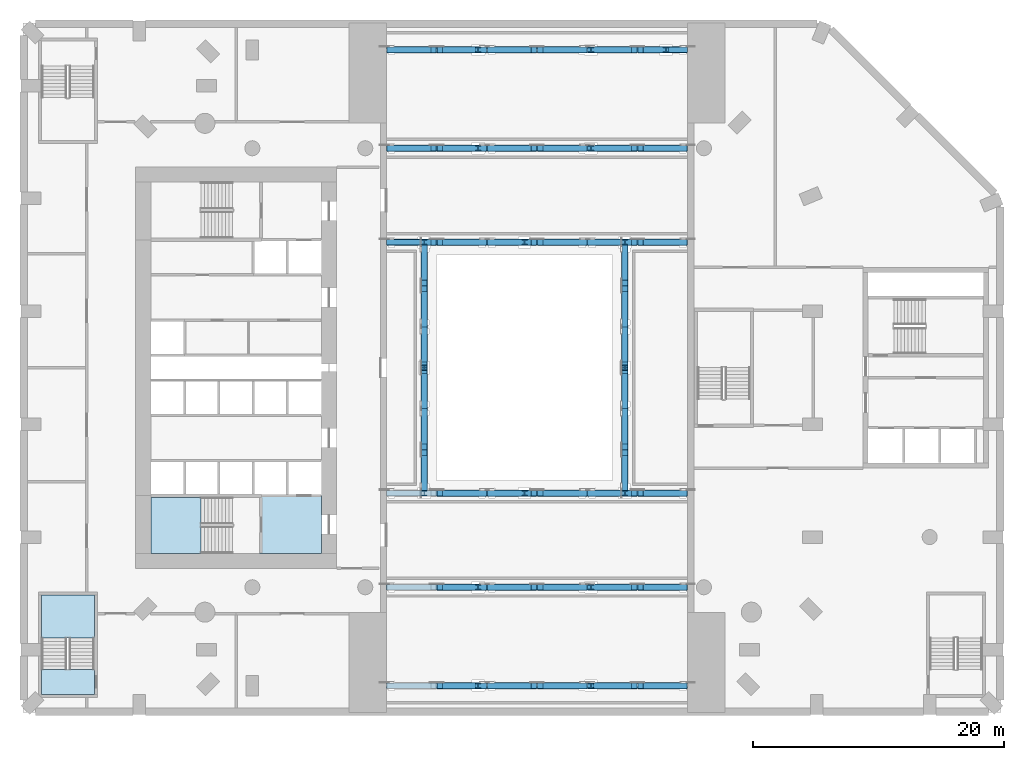
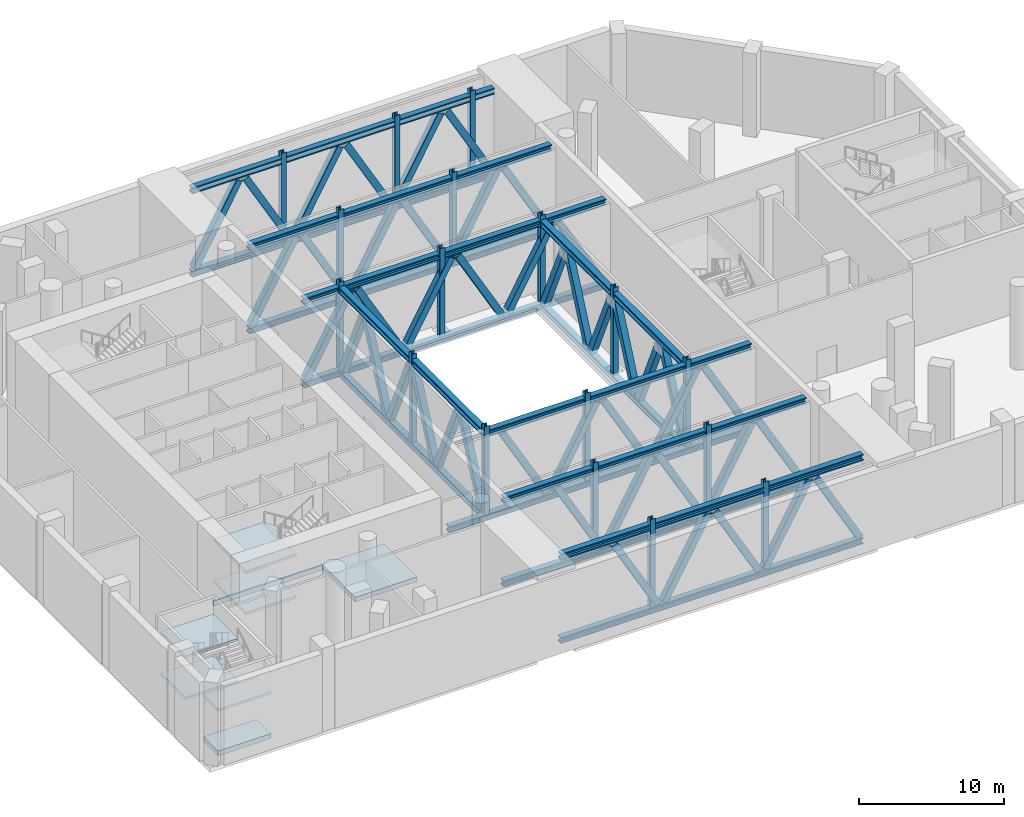
# One storey, part 2 of 21: 94 members, 7 slabs, 2 elements without a shape of their own.
"""IFC4 building model written with IfcOpenShell, lengths in metres."""

from ifc_helpers import new_model, si_unit, direction, frame, origin, origin_2d, place, context, subcontext, project, spatial, polyline, hollow_rectangle, i_section, outline, extrude, material, layer, layer_set, material_profile, profile_set, type_object, element, aggregate, save


model = new_model("IFC4")

# Units and contexts
model_context = context("Model", 3, precision=1e-05, world=origin(), true_north=direction((0.0, 1.0)))
body_context = subcontext(model_context, "Body", "Model", "MODEL_VIEW")
ifc_project = project(units=[si_unit("LENGTHUNIT", "METRE"), si_unit("AREAUNIT", "SQUARE_METRE"), si_unit("VOLUMEUNIT", "CUBIC_METRE"), si_unit("PLANEANGLEUNIT", "RADIAN"), si_unit("MASSUNIT", "GRAM", prefix="KILO")], contexts=[model_context])

# Site, building, storey
site_placement = place(None, origin())
site = spatial("IfcSite", under=ifc_project, at=site_placement, CompositionType="ELEMENT")
building_placement = place(site_placement, origin())
building = spatial("IfcBuilding", under=site, at=building_placement, Name="Cypress Arch Tower", CompositionType="ELEMENT")
storey_placement = place(building_placement, frame((0.0, 0.0, 29.0)))
storey = spatial("IfcBuildingStorey", under=building, at=storey_placement, Name="L03", CompositionType="ELEMENT", Elevation=29.0)

# Members
ifc_material_1 = material(Name="Steel ASTM A992", Category="steel")
ifc_material_profile_1 = material_profile(ifc_material_1, i_section(OverallWidth=0.45458984375, OverallDepth=0.51318359375, WebThickness=0.060546875, FlangeThickness=0.096923828125, at=origin_2d()), Name="W14x550")
ifc_profile_set_1 = profile_set([ifc_material_profile_1], Name="Steel ASTM A992")
member_type_1 = type_object("IfcMemberType", Name="Transfer truss chord W14x550 Steel ASTM A992", PredefinedType="CHORD", material=ifc_profile_set_1)
member_1_placement = place(storey_placement, frame((-10.0, -25.35009765625, -0.656494140625), z_axis=(1.0, 0.0, 0.0), x_axis=(0.0, 1.0, 0.0)))
element("IfcMember", 1, at=member_1_placement, inside=storey, type_object=member_type_1, Name="Transfer truss SF bottom chord", PredefinedType="CHORD", context=body_context, shape_type="SweptSolid", body=[
    extrude(i_section(OverallWidth=0.45458984375, OverallDepth=0.51318359375, WebThickness=0.060546875, FlangeThickness=0.096923828125, at=origin_2d()), origin(), (0.0, 0.0, 1.0), 24.0),
])
member_2_placement = place(storey_placement, frame((-10.0, -25.35009765625, 6.343505859375), z_axis=(1.0, 0.0, 0.0), x_axis=(0.0, 1.0, 0.0)))
element("IfcMember", 2, at=member_2_placement, inside=storey, type_object=member_type_1, Name="Transfer truss SF top chord", PredefinedType="CHORD", context=body_context, shape_type="SweptSolid", body=[
    extrude(i_section(OverallWidth=0.45458984375, OverallDepth=0.51318359375, WebThickness=0.060546875, FlangeThickness=0.096923828125, at=origin_2d()), origin(), (0.0, 0.0, 1.0), 7.094970703125),
])
member_3_placement = place(storey_placement, frame((-2.4951171875, -25.35009765625, 6.343505859375), z_axis=(1.0, 0.0, 0.0), x_axis=(0.0, 1.0, 0.0)))
element("IfcMember", 3, at=member_3_placement, inside=storey, type_object=member_type_1, Name="Transfer truss SF top chord", PredefinedType="CHORD", context=body_context, shape_type="SweptSolid", body=[
    extrude(i_section(OverallWidth=0.45458984375, OverallDepth=0.51318359375, WebThickness=0.060546875, FlangeThickness=0.096923828125, at=origin_2d()), origin(), (0.0, 0.0, 1.0), 8.590087890625),
])
member_4_placement = place(storey_placement, frame((6.5048828125, -25.35009765625, 6.343505859375), z_axis=(1.0, 0.0, 0.0), x_axis=(0.0, 1.0, 0.0)))
element("IfcMember", 4, at=member_4_placement, inside=storey, type_object=member_type_1, Name="Transfer truss SF top chord", PredefinedType="CHORD", context=body_context, shape_type="SweptSolid", body=[
    extrude(i_section(OverallWidth=0.45458984375, OverallDepth=0.51318359375, WebThickness=0.060546875, FlangeThickness=0.096923828125, at=origin_2d()), origin(), (0.0, 0.0, 1.0), 7.4951171875),
])
member_5_placement = place(storey_placement, frame((-10.0, 25.35009765625, -0.656494140625), z_axis=(1.0, 0.0, 0.0), x_axis=(0.0, 1.0, 0.0)))
element("IfcMember", 5, at=member_5_placement, inside=storey, type_object=member_type_1, Name="Transfer truss NF bottom chord", PredefinedType="CHORD", context=body_context, shape_type="SweptSolid", body=[
    extrude(i_section(OverallWidth=0.45458984375, OverallDepth=0.51318359375, WebThickness=0.060546875, FlangeThickness=0.096923828125, at=origin_2d()), origin(), (0.0, 0.0, 1.0), 24.0),
])
member_6_placement = place(storey_placement, frame((-10.0, 25.35009765625, 6.343505859375), z_axis=(1.0, 0.0, 0.0), x_axis=(0.0, 1.0, 0.0)))
element("IfcMember", 6, at=member_6_placement, inside=storey, type_object=member_type_1, Name="Transfer truss NF top chord", PredefinedType="CHORD", context=body_context, shape_type="SweptSolid", body=[
    extrude(i_section(OverallWidth=0.45458984375, OverallDepth=0.51318359375, WebThickness=0.060546875, FlangeThickness=0.096923828125, at=origin_2d()), origin(), (0.0, 0.0, 1.0), 7.094970703125),
])
member_7_placement = place(storey_placement, frame((-2.4951171875, 25.35009765625, 6.343505859375), z_axis=(1.0, 0.0, 0.0), x_axis=(0.0, 1.0, 0.0)))
element("IfcMember", 7, at=member_7_placement, inside=storey, type_object=member_type_1, Name="Transfer truss NF top chord", PredefinedType="CHORD", context=body_context, shape_type="SweptSolid", body=[
    extrude(i_section(OverallWidth=0.45458984375, OverallDepth=0.51318359375, WebThickness=0.060546875, FlangeThickness=0.096923828125, at=origin_2d()), origin(), (0.0, 0.0, 1.0), 8.590087890625),
])
member_8_placement = place(storey_placement, frame((6.5048828125, 25.35009765625, 6.343505859375), z_axis=(1.0, 0.0, 0.0), x_axis=(0.0, 1.0, 0.0)))
element("IfcMember", 8, at=member_8_placement, inside=storey, type_object=member_type_1, Name="Transfer truss NF top chord", PredefinedType="CHORD", context=body_context, shape_type="SweptSolid", body=[
    extrude(i_section(OverallWidth=0.45458984375, OverallDepth=0.51318359375, WebThickness=0.060546875, FlangeThickness=0.096923828125, at=origin_2d()), origin(), (0.0, 0.0, 1.0), 5.56689453125),
])
member_9_placement = place(storey_placement, frame((12.481689453125, 25.35009765625, 6.343505859375), z_axis=(1.0, 0.0, 0.0), x_axis=(0.0, 1.0, 0.0)))
element("IfcMember", 9, at=member_9_placement, inside=storey, type_object=member_type_1, Name="Transfer truss NF top chord", PredefinedType="CHORD", context=body_context, shape_type="SweptSolid", body=[
    extrude(i_section(OverallWidth=0.45458984375, OverallDepth=0.51318359375, WebThickness=0.060546875, FlangeThickness=0.096923828125, at=origin_2d()), origin(), (0.0, 0.0, 1.0), 1.518310546875),
])
member_10_placement = place(storey_placement, frame((-10.0, -17.5, -0.656494140625), z_axis=(1.0, 0.0, 0.0), x_axis=(0.0, 1.0, 0.0)))
element("IfcMember", 10, at=member_10_placement, inside=storey, type_object=member_type_1, Name="Transfer truss S17 bottom chord", PredefinedType="CHORD", context=body_context, shape_type="SweptSolid", body=[
    extrude(i_section(OverallWidth=0.45458984375, OverallDepth=0.51318359375, WebThickness=0.060546875, FlangeThickness=0.096923828125, at=origin_2d()), origin(), (0.0, 0.0, 1.0), 24.0),
])
member_11_placement = place(storey_placement, frame((-10.0, -17.5, 6.343505859375), z_axis=(1.0, 0.0, 0.0), x_axis=(0.0, 1.0, 0.0)))
element("IfcMember", 11, at=member_11_placement, inside=storey, type_object=member_type_1, Name="Transfer truss S17 top chord", PredefinedType="CHORD", context=body_context, shape_type="SweptSolid", body=[
    extrude(i_section(OverallWidth=0.45458984375, OverallDepth=0.51318359375, WebThickness=0.060546875, FlangeThickness=0.096923828125, at=origin_2d()), origin(), (0.0, 0.0, 1.0), 7.094970703125),
])
member_12_placement = place(storey_placement, frame((-2.4951171875, -17.5, 6.343505859375), z_axis=(1.0, 0.0, 0.0), x_axis=(0.0, 1.0, 0.0)))
element("IfcMember", 12, at=member_12_placement, inside=storey, type_object=member_type_1, Name="Transfer truss S17 top chord", PredefinedType="CHORD", context=body_context, shape_type="SweptSolid", body=[
    extrude(i_section(OverallWidth=0.45458984375, OverallDepth=0.51318359375, WebThickness=0.060546875, FlangeThickness=0.096923828125, at=origin_2d()), origin(), (0.0, 0.0, 1.0), 8.590087890625),
])
member_13_placement = place(storey_placement, frame((6.5048828125, -17.5, 6.343505859375), z_axis=(1.0, 0.0, 0.0), x_axis=(0.0, 1.0, 0.0)))
element("IfcMember", 13, at=member_13_placement, inside=storey, type_object=member_type_1, Name="Transfer truss S17 top chord", PredefinedType="CHORD", context=body_context, shape_type="SweptSolid", body=[
    extrude(i_section(OverallWidth=0.45458984375, OverallDepth=0.51318359375, WebThickness=0.060546875, FlangeThickness=0.096923828125, at=origin_2d()), origin(), (0.0, 0.0, 1.0), 7.4951171875),
])
member_14_placement = place(storey_placement, frame((-10.0, 17.5, -0.656494140625), z_axis=(1.0, 0.0, 0.0), x_axis=(0.0, 1.0, 0.0)))
element("IfcMember", 14, at=member_14_placement, inside=storey, type_object=member_type_1, Name="Transfer truss N17 bottom chord", PredefinedType="CHORD", context=body_context, shape_type="SweptSolid", body=[
    extrude(i_section(OverallWidth=0.45458984375, OverallDepth=0.51318359375, WebThickness=0.060546875, FlangeThickness=0.096923828125, at=origin_2d()), origin(), (0.0, 0.0, 1.0), 24.0),
])
member_15_placement = place(storey_placement, frame((-10.0, 17.5, 6.343505859375), z_axis=(1.0, 0.0, 0.0), x_axis=(0.0, 1.0, 0.0)))
element("IfcMember", 15, at=member_15_placement, inside=storey, type_object=member_type_1, Name="Transfer truss N17 top chord", PredefinedType="CHORD", context=body_context, shape_type="SweptSolid", body=[
    extrude(i_section(OverallWidth=0.45458984375, OverallDepth=0.51318359375, WebThickness=0.060546875, FlangeThickness=0.096923828125, at=origin_2d()), origin(), (0.0, 0.0, 1.0), 7.094970703125),
])
member_16_placement = place(storey_placement, frame((-2.4951171875, 17.5, 6.343505859375), z_axis=(1.0, 0.0, 0.0), x_axis=(0.0, 1.0, 0.0)))
element("IfcMember", 16, at=member_16_placement, inside=storey, type_object=member_type_1, Name="Transfer truss N17 top chord", PredefinedType="CHORD", context=body_context, shape_type="SweptSolid", body=[
    extrude(i_section(OverallWidth=0.45458984375, OverallDepth=0.51318359375, WebThickness=0.060546875, FlangeThickness=0.096923828125, at=origin_2d()), origin(), (0.0, 0.0, 1.0), 8.590087890625),
])
member_17_placement = place(storey_placement, frame((6.5048828125, 17.5, 6.343505859375), z_axis=(1.0, 0.0, 0.0), x_axis=(0.0, 1.0, 0.0)))
element("IfcMember", 17, at=member_17_placement, inside=storey, type_object=member_type_1, Name="Transfer truss N17 top chord", PredefinedType="CHORD", context=body_context, shape_type="SweptSolid", body=[
    extrude(i_section(OverallWidth=0.45458984375, OverallDepth=0.51318359375, WebThickness=0.060546875, FlangeThickness=0.096923828125, at=origin_2d()), origin(), (0.0, 0.0, 1.0), 7.4951171875),
])
member_18_placement = place(storey_placement, frame((-10.0, -10.0, -0.656494140625), z_axis=(1.0, 0.0, 0.0), x_axis=(0.0, 1.0, 0.0)))
element("IfcMember", 18, at=member_18_placement, inside=storey, type_object=member_type_1, Name="Transfer truss S10 bottom chord", PredefinedType="CHORD", context=body_context, shape_type="SweptSolid", body=[
    extrude(i_section(OverallWidth=0.45458984375, OverallDepth=0.51318359375, WebThickness=0.060546875, FlangeThickness=0.096923828125, at=origin_2d()), origin(), (0.0, 0.0, 1.0), 24.0),
])
for number, where, z_axis, x_axis, name in (
    (19, (-6.795166015625, -10.0, 6.343505859375), (1.0, 0.0, 0.0), (0.0, 1.0, 0.0), "Transfer truss S10 top chord"),
    (20, (1.204833984375, -10.0, 6.343505859375), (1.0, 0.0, 0.0), (0.0, 1.0, 0.0), "Transfer truss S10 top chord"),
):
    element("IfcMember", number, at=place(storey_placement, frame(where, z_axis=z_axis, x_axis=x_axis)), inside=storey, type_object=member_type_1, Name=name, PredefinedType="CHORD", context=body_context, shape_type="SweptSolid", body=[
        extrude(i_section(OverallWidth=0.45458984375, OverallDepth=0.51318359375, WebThickness=0.060546875, FlangeThickness=0.096923828125, at=origin_2d()), origin(), (0.0, 0.0, 1.0), 7.59033203125),
    ])
member_19_placement = place(storey_placement, frame((9.204833984375, -10.0, 6.343505859375), z_axis=(1.0, 0.0, 0.0), x_axis=(0.0, 1.0, 0.0)))
element("IfcMember", 21, at=member_19_placement, inside=storey, type_object=member_type_1, Name="Transfer truss S10 top chord", PredefinedType="CHORD", context=body_context, shape_type="SweptSolid", body=[
    extrude(i_section(OverallWidth=0.45458984375, OverallDepth=0.51318359375, WebThickness=0.060546875, FlangeThickness=0.096923828125, at=origin_2d()), origin(), (0.0, 0.0, 1.0), 4.795166015625),
])
member_20_placement = place(storey_placement, frame((-10.0, 10.0, -0.656494140625), z_axis=(1.0, 0.0, 0.0), x_axis=(0.0, 1.0, 0.0)))
element("IfcMember", 22, at=member_20_placement, inside=storey, type_object=member_type_1, Name="Transfer truss N10 bottom chord", PredefinedType="CHORD", context=body_context, shape_type="SweptSolid", body=[
    extrude(i_section(OverallWidth=0.45458984375, OverallDepth=0.51318359375, WebThickness=0.060546875, FlangeThickness=0.096923828125, at=origin_2d()), origin(), (0.0, 0.0, 1.0), 24.0),
])
member_21_placement = place(storey_placement, frame((-10.0, 10.0, 6.343505859375), z_axis=(1.0, 0.0, 0.0), x_axis=(0.0, 1.0, 0.0)))
element("IfcMember", 23, at=member_21_placement, inside=storey, type_object=member_type_1, Name="Transfer truss N10 top chord", PredefinedType="CHORD", context=body_context, shape_type="SweptSolid", body=[
    extrude(i_section(OverallWidth=0.45458984375, OverallDepth=0.51318359375, WebThickness=0.060546875, FlangeThickness=0.096923828125, at=origin_2d()), origin(), (0.0, 0.0, 1.0), 2.795166015625),
])
for number, where, z_axis, x_axis, name in (
    (24, (-6.795166015625, 10.0, 6.343505859375), (1.0, 0.0, 0.0), (0.0, 1.0, 0.0), "Transfer truss N10 top chord"),
    (25, (1.204833984375, 10.0, 6.343505859375), (1.0, 0.0, 0.0), (0.0, 1.0, 0.0), "Transfer truss N10 top chord"),
):
    element("IfcMember", number, at=place(storey_placement, frame(where, z_axis=z_axis, x_axis=x_axis)), inside=storey, type_object=member_type_1, Name=name, PredefinedType="CHORD", context=body_context, shape_type="SweptSolid", body=[
        extrude(i_section(OverallWidth=0.45458984375, OverallDepth=0.51318359375, WebThickness=0.060546875, FlangeThickness=0.096923828125, at=origin_2d()), origin(), (0.0, 0.0, 1.0), 7.59033203125),
    ])
member_22_placement = place(storey_placement, frame((9.204833984375, 10.0, 6.343505859375), z_axis=(1.0, 0.0, 0.0), x_axis=(0.0, 1.0, 0.0)))
element("IfcMember", 26, at=member_22_placement, inside=storey, type_object=member_type_1, Name="Transfer truss N10 top chord", PredefinedType="CHORD", context=body_context, shape_type="SweptSolid", body=[
    extrude(i_section(OverallWidth=0.45458984375, OverallDepth=0.51318359375, WebThickness=0.060546875, FlangeThickness=0.096923828125, at=origin_2d()), origin(), (0.0, 0.0, 1.0), 4.795166015625),
])
member_23_placement = place(storey_placement, frame((-7.0, -9.798095703125, -0.656494140625), z_axis=(0.0, 1.0, 0.0), x_axis=(-1.0, 0.0, 0.0)))
element("IfcMember", 27, at=member_23_placement, inside=storey, type_object=member_type_1, Name="Transfer truss R-7 bottom chord", PredefinedType="CHORD", context=body_context, shape_type="SweptSolid", body=[
    extrude(i_section(OverallWidth=0.45458984375, OverallDepth=0.51318359375, WebThickness=0.060546875, FlangeThickness=0.096923828125, at=origin_2d()), origin(), (0.0, 0.0, 1.0), 19.59619140625),
])
for number, where, z_axis, x_axis, name in (
    (28, (-7.0, -9.798095703125, 6.343505859375), (0.0, 1.0, 0.0), (-1.0, 0.0, 0.0), "Transfer truss R-7 top chord"),
    (29, (-7.0, 0.204833984375, 6.343505859375), (0.0, 1.0, 0.0), (-1.0, 0.0, 0.0), "Transfer truss R-7 top chord"),
):
    element("IfcMember", number, at=place(storey_placement, frame(where, z_axis=z_axis, x_axis=x_axis)), inside=storey, type_object=member_type_1, Name=name, PredefinedType="CHORD", context=body_context, shape_type="SweptSolid", body=[
        extrude(i_section(OverallWidth=0.45458984375, OverallDepth=0.51318359375, WebThickness=0.060546875, FlangeThickness=0.096923828125, at=origin_2d()), origin(), (0.0, 0.0, 1.0), 9.59326171875),
    ])
member_24_placement = place(storey_placement, frame((9.0, -9.798095703125, -0.656494140625), z_axis=(0.0, 1.0, 0.0), x_axis=(-1.0, 0.0, 0.0)))
element("IfcMember", 30, at=member_24_placement, inside=storey, type_object=member_type_1, Name="Transfer truss R+9 bottom chord", PredefinedType="CHORD", context=body_context, shape_type="SweptSolid", body=[
    extrude(i_section(OverallWidth=0.45458984375, OverallDepth=0.51318359375, WebThickness=0.060546875, FlangeThickness=0.096923828125, at=origin_2d()), origin(), (0.0, 0.0, 1.0), 19.59619140625),
])
for number, where, z_axis, x_axis, name in (
    (31, (9.0, -9.798095703125, 6.343505859375), (0.0, 1.0, 0.0), (-1.0, 0.0, 0.0), "Transfer truss R+9 top chord"),
    (32, (9.0, 0.204833984375, 6.343505859375), (0.0, 1.0, 0.0), (-1.0, 0.0, 0.0), "Transfer truss R+9 top chord"),
):
    element("IfcMember", number, at=place(storey_placement, frame(where, z_axis=z_axis, x_axis=x_axis)), inside=storey, type_object=member_type_1, Name=name, PredefinedType="CHORD", context=body_context, shape_type="SweptSolid", body=[
        extrude(i_section(OverallWidth=0.45458984375, OverallDepth=0.51318359375, WebThickness=0.060546875, FlangeThickness=0.096923828125, at=origin_2d()), origin(), (0.0, 0.0, 1.0), 9.59326171875),
    ])
ifc_material_2 = material(Name="Steel ASTM A500 Grade C", Category="steel")
ifc_material_profile_2 = material_profile(ifc_material_2, hollow_rectangle(XDim=0.508056640625, YDim=0.508056640625, WallThickness=0.017578125, at=origin_2d()), Name="HSS 20x20x3/4")
ifc_profile_set_2 = profile_set([ifc_material_profile_2], Name="Steel ASTM A500 Grade C")
member_type_2 = type_object("IfcMemberType", Name="Transfer truss diagonal HSS 20x20x3/4 Steel ASTM A500 Grade C", PredefinedType="BRACE", material=ifc_profile_set_2)
for number, where, z_axis, x_axis, name in (
    (33, (-5.748291015625, -25.35009765625, 5.959228515625), (0.489346052709, 0.0, -0.872089697622), (0.0, 1.0, 0.0), "Transfer truss SF diagonal 2"),
    (34, (-1.748291015625, -25.35009765625, -0.272216796875), (0.489346052709, 0.0, 0.872089697622), (0.0, 1.0, 0.0), "Transfer truss SF diagonal 3"),
    (35, (2.251708984375, -25.35009765625, 5.959228515625), (0.489346052709, 0.0, -0.872089697622), (0.0, 1.0, 0.0), "Transfer truss SF diagonal 4"),
    (36, (6.251708984375, -25.35009765625, -0.272216796875), (0.489346052709, 0.0, 0.872089697622), (0.0, 1.0, 0.0), "Transfer truss SF diagonal 5"),
    (37, (10.251708984375, -25.35009765625, 5.959228515625), (0.489346052709, 0.0, -0.872089697622), (0.0, 1.0, 0.0), "Transfer truss SF diagonal 6"),
    (38, (-9.748291015625, 25.35009765625, -0.272216796875), (0.489346052709, 0.0, 0.872089697622), (0.0, 1.0, 0.0), "Transfer truss NF diagonal 1"),
    (39, (-5.748291015625, 25.35009765625, 5.959228515625), (0.489346052709, 0.0, -0.872089697622), (0.0, 1.0, 0.0), "Transfer truss NF diagonal 2"),
    (40, (-1.748291015625, 25.35009765625, -0.272216796875), (0.489346052709, 0.0, 0.872089697622), (0.0, 1.0, 0.0), "Transfer truss NF diagonal 3"),
    (41, (2.251708984375, 25.35009765625, 5.959228515625), (0.489346052709, 0.0, -0.872089697622), (0.0, 1.0, 0.0), "Transfer truss NF diagonal 4"),
    (42, (6.251708984375, 25.35009765625, -0.272216796875), (0.489346052709, 0.0, 0.872089697622), (0.0, 1.0, 0.0), "Transfer truss NF diagonal 5"),
    (43, (10.251708984375, 25.35009765625, 5.959228515625), (0.489346052709, 0.0, -0.872089697622), (0.0, 1.0, 0.0), "Transfer truss NF diagonal 6"),
    (44, (-5.748291015625, -17.5, 5.959228515625), (0.489346052709, 0.0, -0.872089697622), (0.0, 1.0, 0.0), "Transfer truss S17 diagonal 2"),
    (45, (-1.748291015625, -17.5, -0.272216796875), (0.489346052709, 0.0, 0.872089697622), (0.0, 1.0, 0.0), "Transfer truss S17 diagonal 3"),
    (46, (2.251708984375, -17.5, 5.959228515625), (0.489346052709, 0.0, -0.872089697622), (0.0, 1.0, 0.0), "Transfer truss S17 diagonal 4"),
    (47, (6.251708984375, -17.5, -0.272216796875), (0.489346052709, 0.0, 0.872089697622), (0.0, 1.0, 0.0), "Transfer truss S17 diagonal 5"),
    (48, (10.251708984375, -17.5, 5.959228515625), (0.489346052709, 0.0, -0.872089697622), (0.0, 1.0, 0.0), "Transfer truss S17 diagonal 6"),
    (49, (-9.748291015625, 17.5, -0.272216796875), (0.489346052709, 0.0, 0.872089697622), (0.0, 1.0, 0.0), "Transfer truss N17 diagonal 1"),
    (50, (-5.748291015625, 17.5, 5.959228515625), (0.489346052709, 0.0, -0.872089697622), (0.0, 1.0, 0.0), "Transfer truss N17 diagonal 2"),
    (51, (-1.748291015625, 17.5, -0.272216796875), (0.489346052709, 0.0, 0.872089697622), (0.0, 1.0, 0.0), "Transfer truss N17 diagonal 3"),
    (52, (2.251708984375, 17.5, 5.959228515625), (0.489346052709, 0.0, -0.872089697622), (0.0, 1.0, 0.0), "Transfer truss N17 diagonal 4"),
    (53, (6.251708984375, 17.5, -0.272216796875), (0.489346052709, 0.0, 0.872089697622), (0.0, 1.0, 0.0), "Transfer truss N17 diagonal 5"),
    (54, (10.251708984375, 17.5, 5.959228515625), (0.489346052709, 0.0, -0.872089697622), (0.0, 1.0, 0.0), "Transfer truss N17 diagonal 6"),
    (55, (-5.748291015625, -10.0, 5.959228515625), (0.489346052709, 0.0, -0.872089697622), (0.0, 1.0, 0.0), "Transfer truss S10 diagonal 2"),
    (56, (-1.748291015625, -10.0, -0.272216796875), (0.489346052709, 0.0, 0.872089697622), (0.0, 1.0, 0.0), "Transfer truss S10 diagonal 3"),
    (57, (2.251708984375, -10.0, 5.959228515625), (0.489346052709, 0.0, -0.872089697622), (0.0, 1.0, 0.0), "Transfer truss S10 diagonal 4"),
    (58, (6.251708984375, -10.0, -0.272216796875), (0.489346052709, 0.0, 0.872089697622), (0.0, 1.0, 0.0), "Transfer truss S10 diagonal 5"),
    (59, (10.251708984375, -10.0, 5.959228515625), (0.489346052709, 0.0, -0.872089697622), (0.0, 1.0, 0.0), "Transfer truss S10 diagonal 6"),
    (60, (-9.748291015625, 10.0, -0.272216796875), (0.489346052709, 0.0, 0.872089697622), (0.0, 1.0, 0.0), "Transfer truss N10 diagonal 1"),
    (61, (-5.748291015625, 10.0, 5.959228515625), (0.489346052709, 0.0, -0.872089697622), (0.0, 1.0, 0.0), "Transfer truss N10 diagonal 2"),
    (62, (-1.748291015625, 10.0, -0.272216796875), (0.489346052709, 0.0, 0.872089697622), (0.0, 1.0, 0.0), "Transfer truss N10 diagonal 3"),
    (63, (2.251708984375, 10.0, 5.959228515625), (0.489346052709, 0.0, -0.872089697622), (0.0, 1.0, 0.0), "Transfer truss N10 diagonal 4"),
    (64, (6.251708984375, 10.0, -0.272216796875), (0.489346052709, 0.0, 0.872089697622), (0.0, 1.0, 0.0), "Transfer truss N10 diagonal 5"),
    (65, (10.251708984375, 10.0, 5.959228515625), (0.489346052709, 0.0, -0.872089697622), (0.0, 1.0, 0.0), "Transfer truss N10 diagonal 6"),
):
    element("IfcMember", number, at=place(storey_placement, frame(where, z_axis=z_axis, x_axis=x_axis)), inside=storey, type_object=member_type_2, Name=name, PredefinedType="BRACE", context=body_context, shape_type="SweptSolid", body=[
        extrude(hollow_rectangle(XDim=0.508056640625, YDim=0.508056640625, WallThickness=0.017578125, at=origin_2d()), origin(), (0.0, 0.0, 1.0), 7.1455078125),
    ])
for number, where, z_axis, x_axis, name in (
    (66, (-7.0, -9.56982421875, -0.29248046875), (0.0, 0.408813128816, 0.912618116031), (-1.0, 0.0, 0.0), "Transfer truss R-7 diagonal 1"),
    (67, (-7.0, -6.303955078125, 5.9794921875), (0.0, 0.408842715323, -0.91260486199), (-1.0, 0.0, 0.0), "Transfer truss R-7 diagonal 2"),
    (68, (-7.0, -3.037841796875, -0.29248046875), (0.0, 0.408813128816, 0.912618116031), (-1.0, 0.0, 0.0), "Transfer truss R-7 diagonal 3"),
    (69, (-7.0, 0.228271484375, 5.9794921875), (0.0, 0.408813128816, -0.912618116031), (-1.0, 0.0, 0.0), "Transfer truss R-7 diagonal 4"),
    (70, (-7.0, 3.494140625, -0.29248046875), (0.0, 0.408842715323, 0.91260486199), (-1.0, 0.0, 0.0), "Transfer truss R-7 diagonal 5"),
    (71, (-7.0, 6.76025390625, 5.9794921875), (0.0, 0.408813128816, -0.912618116031), (-1.0, 0.0, 0.0), "Transfer truss R-7 diagonal 6"),
    (72, (9.0, -9.56982421875, -0.29248046875), (0.0, 0.408813128816, 0.912618116031), (-1.0, 0.0, 0.0), "Transfer truss R+9 diagonal 1"),
    (73, (9.0, -6.303955078125, 5.9794921875), (0.0, 0.408842715323, -0.91260486199), (-1.0, 0.0, 0.0), "Transfer truss R+9 diagonal 2"),
    (74, (9.0, -3.037841796875, -0.29248046875), (0.0, 0.408813128816, 0.912618116031), (-1.0, 0.0, 0.0), "Transfer truss R+9 diagonal 3"),
    (75, (9.0, 0.228271484375, 5.9794921875), (0.0, 0.408813128816, -0.912618116031), (-1.0, 0.0, 0.0), "Transfer truss R+9 diagonal 4"),
    (76, (9.0, 3.494140625, -0.29248046875), (0.0, 0.408842715323, 0.91260486199), (-1.0, 0.0, 0.0), "Transfer truss R+9 diagonal 5"),
    (77, (9.0, 6.76025390625, 5.9794921875), (0.0, 0.408813128816, -0.912618116031), (-1.0, 0.0, 0.0), "Transfer truss R+9 diagonal 6"),
):
    element("IfcMember", number, at=place(storey_placement, frame(where, z_axis=z_axis, x_axis=x_axis)), inside=storey, type_object=member_type_2, Name=name, PredefinedType="BRACE", context=body_context, shape_type="SweptSolid", body=[
        extrude(hollow_rectangle(XDim=0.508056640625, YDim=0.508056640625, WallThickness=0.017578125, at=origin_2d()), origin(), (0.0, 0.0, 1.0), 6.87255859375),
    ])
ifc_material_3 = material(Name="Steel ASTM A992", Category="steel")
ifc_material_profile_3 = material_profile(ifc_material_3, i_section(OverallWidth=0.40380859375, OverallDepth=0.406494140625, WebThickness=0.027099609375, FlangeThickness=0.043701171875, at=origin_2d()), Name="W14x233")
ifc_profile_set_3 = profile_set([ifc_material_profile_3], Name="Steel ASTM A992")
member_type_3 = type_object("IfcMemberType", Name="Transfer truss post W14x233 Steel ASTM A992", PredefinedType="POST", material=ifc_profile_set_3)
for number, where, z_axis, x_axis, name in (
    (78, (-2.699951171875, -25.35009765625, -0.39990234375), (0.0, 0.0, 1.0), (1.0, 0.0, 0.0), "Transfer truss post SF 1"),
    (79, (6.300048828125, -25.35009765625, -0.39990234375), (0.0, 0.0, 1.0), (1.0, 0.0, 0.0), "Transfer truss post SF 2"),
    (80, (-2.699951171875, 25.35009765625, -0.39990234375), (0.0, 0.0, 1.0), (1.0, 0.0, 0.0), "Transfer truss post NF 1"),
    (81, (6.300048828125, 25.35009765625, -0.39990234375), (0.0, 0.0, 1.0), (1.0, 0.0, 0.0), "Transfer truss post NF 2"),
    (82, (12.276611328125, 25.35009765625, -0.39990234375), (0.0, 0.0, 1.0), (1.0, 0.0, 0.0), "Transfer truss post NF 3"),
    (83, (-2.699951171875, -17.5, -0.39990234375), (0.0, 0.0, 1.0), (1.0, 0.0, 0.0), "Transfer truss post S17 1"),
    (84, (6.300048828125, -17.5, -0.39990234375), (0.0, 0.0, 1.0), (1.0, 0.0, 0.0), "Transfer truss post S17 2"),
    (85, (-2.699951171875, 17.5, -0.39990234375), (0.0, 0.0, 1.0), (1.0, 0.0, 0.0), "Transfer truss post N17 1"),
    (86, (6.300048828125, 17.5, -0.39990234375), (0.0, 0.0, 1.0), (1.0, 0.0, 0.0), "Transfer truss post N17 2"),
    (87, (-7.0, -10.0, -0.39990234375), (0.0, 0.0, 1.0), (1.0, 0.0, 0.0), "Transfer truss post S10 1"),
    (88, (1.0, -10.0, -0.39990234375), (0.0, 0.0, 1.0), (1.0, 0.0, 0.0), "Transfer truss post S10 2"),
    (89, (9.0, -10.0, -0.39990234375), (0.0, 0.0, 1.0), (1.0, 0.0, 0.0), "Transfer truss post S10 3"),
    (90, (-7.0, 10.0, -0.39990234375), (0.0, 0.0, 1.0), (1.0, 0.0, 0.0), "Transfer truss post N10 1"),
    (91, (1.0, 10.0, -0.39990234375), (0.0, 0.0, 1.0), (1.0, 0.0, 0.0), "Transfer truss post N10 2"),
    (92, (9.0, 10.0, -0.39990234375), (0.0, 0.0, 1.0), (1.0, 0.0, 0.0), "Transfer truss post N10 3"),
    (93, (-7.0, 0.0, -0.39990234375), (0.0, 0.0, 1.0), (1.0, 0.0, 0.0), "Transfer truss post R-7 1"),
    (94, (9.0, 0.0, -0.39990234375), (0.0, 0.0, 1.0), (1.0, 0.0, 0.0), "Transfer truss post R+9 1"),
):
    element("IfcMember", number, at=place(storey_placement, frame(where, z_axis=z_axis, x_axis=x_axis)), inside=storey, type_object=member_type_3, Name=name, PredefinedType="POST", context=body_context, shape_type="SweptSolid", body=[
        extrude(i_section(OverallWidth=0.40380859375, OverallDepth=0.406494140625, WebThickness=0.027099609375, FlangeThickness=0.043701171875, at=origin_2d()), origin(), (0.0, 0.0, 1.0), 7.39990234375),
    ])

# Slabs
ifc_material_4 = material(Name="Concrete C40/50", Category="concrete")
ifc_layer_1 = layer(ifc_material_4, 0.39990234375)
ifc_layer_set_1 = layer_set([ifc_layer_1], Name="Core floor CF400")
slab_type_1 = type_object("IfcSlabType", Name="Core floor CF400", PredefinedType="FLOOR", material=ifc_layer_set_1)
slab_1_placement = place(storey_placement, frame((0.0, 0.0, -0.39990234375)))
element("IfcSlab", 95, at=slab_1_placement, inside=storey, type_object=slab_type_1, Name="Stair floor landing", PredefinedType="FLOOR", context=body_context, shape_type="SweptSolid", body=[
    extrude(outline(polyline([(-33.300048828125, -26.050048828125), (-33.300048828125, -24.050048828125), (-37.5, -24.050048828125), (-37.5, -26.050048828125), (-33.300048828125, -26.050048828125)])), origin(), (0.0, 0.0, 1.0), 0.39990234375),
])
ifc_material_5 = material(Name="Concrete C40/50", Category="concrete")
ifc_layer_2 = layer(ifc_material_5, 0.402099609375)
ifc_layer_set_2 = layer_set([ifc_layer_2], Name="Core floor CF402")
slab_type_2 = type_object("IfcSlabType", Name="Core floor CF402", PredefinedType="FLOOR", material=ifc_layer_set_2)
slab_2_placement = place(storey_placement, frame((0.0, 0.0, -0.402099609375)))
element("IfcSlab", 96, at=slab_2_placement, inside=storey, type_object=slab_type_2, Name="Core floor", PredefinedType="FLOOR", context=body_context, shape_type="SweptSolid", body=[
    extrude(outline(polyline([(-20.125, -14.800048828125), (-15.199951171875, -14.800048828125), (-15.199951171875, -10.199951171875), (-17.919921875, -10.199951171875), (-20.639892578125, -10.199951171875), (-23.360107421875, -10.199951171875), (-26.080078125, -10.199951171875), (-28.800048828125, -10.199951171875), (-28.800048828125, -10.324951171875), (-22.27490234375, -10.324951171875), (-20.125, -10.324951171875), (-20.125, -14.800048828125)])), origin(), (0.0, 0.0, 1.0), 0.402099609375),
])

# Stair, slabs
ifc_material_6 = material(Name="Concrete C40/50", Category="concrete")
stair_type_1 = type_object("IfcStairType", Name="Exit stair ES1750-215", PredefinedType="HALF_TURN_STAIR", material=ifc_material_6)
stair_1_placement = place(storey_placement, origin())
stair_1 = element("IfcStair", 97, at=stair_1_placement, inside=storey, type_object=stair_type_1, Name="L03 Exit stair A", PredefinedType="HALF_TURN_STAIR")
ifc_material_7 = material(Name="Concrete C40/50", Category="concrete")
ifc_layer_3 = layer(ifc_material_7, 0.199951171875)
ifc_layer_set_3 = layer_set([ifc_layer_3], Name="Stair landing SL200")
slab_type_3 = type_object("IfcSlabType", Name="Stair landing SL200", PredefinedType="LANDING", material=ifc_layer_set_3)
slab_3_placement = place(storey_placement, frame((0.0, 0.0, 1.550048828125)))
slab_3 = element("IfcSlab", 98, at=slab_3_placement, type_object=slab_type_3, Name="A landing 1", PredefinedType="LANDING", context=body_context, shape_type="SweptSolid", body=[
    extrude(outline(polyline([(-24.794921875, -10.324951171875), (-28.800048828125, -10.324951171875), (-28.800048828125, -14.800048828125), (-24.794921875, -14.800048828125), (-24.794921875, -10.324951171875)])), origin(), (0.0, 0.0, 1.0), 0.199951171875),
])
slab_4_placement = place(storey_placement, frame((0.0, 0.0, 5.050048828125)))
slab_4 = element("IfcSlab", 99, at=slab_4_placement, type_object=slab_type_3, Name="A landing 3", PredefinedType="LANDING", context=body_context, shape_type="SweptSolid", body=[
    extrude(outline(polyline([(-24.794921875, -10.324951171875), (-28.800048828125, -10.324951171875), (-28.800048828125, -14.800048828125), (-24.794921875, -14.800048828125), (-24.794921875, -10.324951171875)])), origin(), (0.0, 0.0, 1.0), 0.199951171875),
])
aggregate(stair_1, [slab_3, slab_4])

ifc_material_8 = material(Name="Concrete C40/50", Category="concrete")
stair_type_2 = type_object("IfcStairType", Name="Exit stair ES1750-200", PredefinedType="HALF_TURN_STAIR", material=ifc_material_8)
stair_2_placement = place(storey_placement, origin())
stair_2 = element("IfcStair", 100, at=stair_2_placement, inside=storey, type_object=stair_type_2, Name="L03 Exit stair P1", PredefinedType="HALF_TURN_STAIR")
slab_5_placement = place(storey_placement, frame((0.0, 0.0, 1.550048828125)))
slab_5 = element("IfcSlab", 101, at=slab_5_placement, type_object=slab_type_3, Name="P1 landing 1", PredefinedType="LANDING", context=body_context, shape_type="SweptSolid", body=[
    extrude(outline(polyline([(-33.300048828125, -21.530029296875), (-33.300048828125, -18.1298828125), (-37.5, -18.1298828125), (-37.5, -21.530029296875), (-33.300048828125, -21.530029296875)])), origin(), (0.0, 0.0, 1.0), 0.199951171875),
])
slab_6_placement = place(storey_placement, frame((0.0, 0.0, 3.300048828125)))
slab_6 = element("IfcSlab", 102, at=slab_6_placement, type_object=slab_type_3, Name="P1 landing 2", PredefinedType="LANDING", context=body_context, shape_type="SweptSolid", body=[
    extrude(outline(polyline([(-33.300048828125, -26.050048828125), (-33.300048828125, -24.050048828125), (-37.5, -24.050048828125), (-37.5, -26.050048828125), (-33.300048828125, -26.050048828125)])), origin(), (0.0, 0.0, 1.0), 0.199951171875),
])
slab_7_placement = place(storey_placement, frame((0.0, 0.0, 5.050048828125)))
slab_7 = element("IfcSlab", 103, at=slab_7_placement, type_object=slab_type_3, Name="P1 landing 3", PredefinedType="LANDING", context=body_context, shape_type="SweptSolid", body=[
    extrude(outline(polyline([(-33.300048828125, -21.530029296875), (-33.300048828125, -18.1298828125), (-37.5, -18.1298828125), (-37.5, -21.530029296875), (-33.300048828125, -21.530029296875)])), origin(), (0.0, 0.0, 1.0), 0.199951171875),
])
aggregate(stair_2, [slab_5, slab_6, slab_7])

save(model, "model.ifc")
